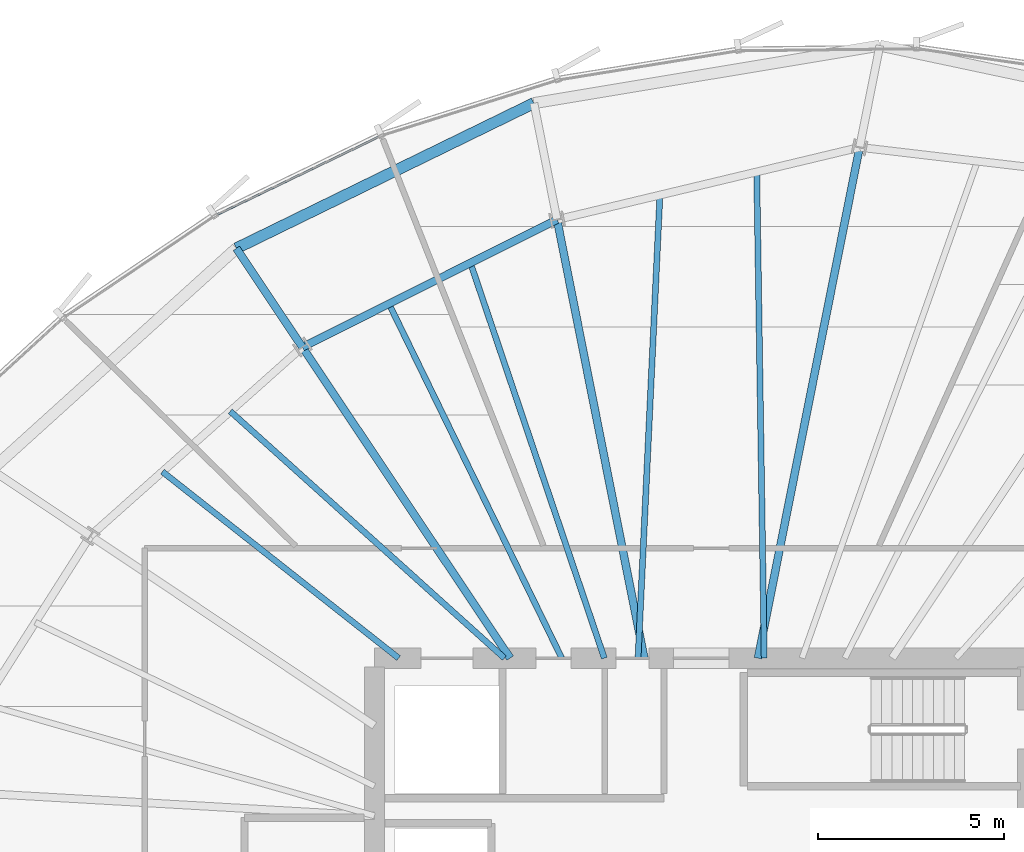
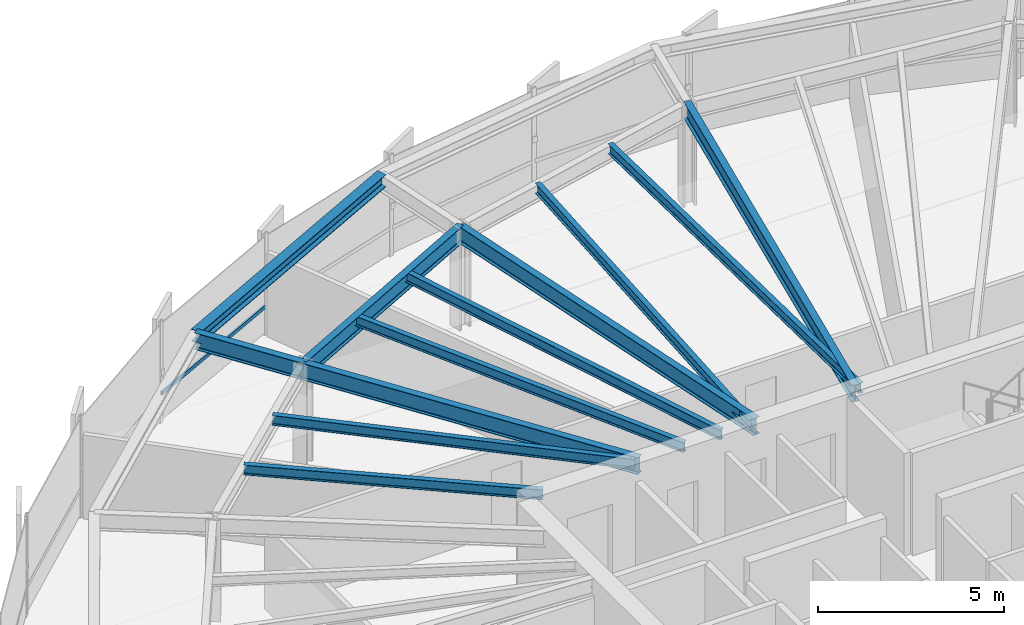
# One storey, part 20 of 35: 12 beams, 1 member, 1 element without a shape of its own.
"""IFC4 building model written with IfcOpenShell, lengths in metres."""

from ifc_helpers import new_model, si_unit, direction, frame, origin, origin_2d, place, context, subcontext, project, spatial, hollow_rectangle, i_section, extrude, source, transform, mapped, material, layer, layer_set, material_profile, profile_set, type_object, element, aggregate, save


model = new_model("IFC4")

# Units and contexts
model_context = context("Model", 3, precision=1e-05, world=origin(), true_north=direction((0.0, 1.0)))
body_context = subcontext(model_context, "Body", "Model", "MODEL_VIEW")
ifc_project = project(units=[si_unit("LENGTHUNIT", "METRE"), si_unit("AREAUNIT", "SQUARE_METRE"), si_unit("VOLUMEUNIT", "CUBIC_METRE"), si_unit("PLANEANGLEUNIT", "RADIAN"), si_unit("MASSUNIT", "GRAM", prefix="KILO"), si_unit("THERMODYNAMICTEMPERATUREUNIT", "KELVIN")], contexts=[model_context])

# Site, building, storey
site_placement = place(None, origin())
site = spatial("IfcSite", under=ifc_project, at=site_placement, CompositionType="ELEMENT")
building_placement = place(site_placement, origin())
building = spatial("IfcBuilding", under=site, at=building_placement, Name="Kethvar Cultural Tower", CompositionType="ELEMENT")
storey_placement = place(building_placement, frame((0.0, 0.0, 121.60009765625)))
storey = spatial("IfcBuildingStorey", under=building, at=storey_placement, Name="L30", CompositionType="ELEMENT", Elevation=121.60009765625)

# Beams
ifc_material_1 = material(Name="Steel S355J2", Category="steel")
ifc_material_profile_1 = material_profile(ifc_material_1, i_section(OverallWidth=0.2099609375, OverallDepth=0.550048828125, WebThickness=0.010986328125, FlangeThickness=0.01708984375, FilletRadius=0.02392578125, at=origin_2d()), Name="Steel S355J2 — IPE550")
ifc_profile_set_1 = profile_set([ifc_material_profile_1], Name="Steel S355J2 — IPE550")
beam_type_1 = type_object("IfcBeamType", Name="BM-IPE550", PredefinedType="BEAM", material=ifc_profile_set_1)
shared_shape_1 = source(origin(), body_context, "Body", "SweptSolid", [
    extrude(i_section(OverallWidth=0.2099609375, OverallDepth=0.550048828125, WebThickness=0.010986328125, FlangeThickness=0.01708984375, FilletRadius=0.02392578125, at=origin_2d()), origin(), (0.0, 0.0, 1.0), 3.2001953125),
])
beam_1_placement = place(storey_placement, frame((36.0576171875, 43.877197265625, 3.072998046875), z_axis=(-0.555544970406, 0.831486491686, 0.0), x_axis=(-0.831486491686, -0.555544970406, 0.0)))
element("IfcBeam", 1, at=beam_1_placement, inside=storey, type_object=beam_type_1, Name="L30 Perimeter Cantilever Beam RC-06", PredefinedType="BEAM", context=body_context, shape_type="MappedRepresentation", body=[
    mapped(shared_shape_1, transform((0.0, 0.0, 0.0), scale=1.0)),
])
shared_shape_2 = source(origin(), body_context, "Body", "SweptSolid", [
    extrude(i_section(OverallWidth=0.2099609375, OverallDepth=0.550048828125, WebThickness=0.010986328125, FlangeThickness=0.01708984375, FilletRadius=0.02392578125, at=origin_2d()), origin(), (0.0, 0.0, 1.0), 14.02880859375),
])
beam_2_placement = place(storey_placement, frame((48.33154296875, 35.5, 3.072998046875), z_axis=(0.195101986683, 0.980782960085, 0.0), x_axis=(-0.980782960085, 0.195101986683, 0.0)))
element("IfcBeam", 2, at=beam_2_placement, inside=storey, type_object=beam_type_1, Name="L30 Primary Radial Beam RB-04", PredefinedType="BEAM", context=body_context, shape_type="MappedRepresentation", body=[
    mapped(shared_shape_2, transform((0.0, 0.0, 0.0), scale=1.0)),
])
shared_shape_3 = source(origin(), body_context, "Body", "SweptSolid", [
    extrude(i_section(OverallWidth=0.2099609375, OverallDepth=0.550048828125, WebThickness=0.010986328125, FlangeThickness=0.01708984375, FilletRadius=0.02392578125, at=origin_2d()), origin(), (0.0, 0.0, 1.0), 12.042724609375),
])
beam_3_placement = place(storey_placement, frame((45.268310546875, 35.5, 3.072998046875), z_axis=(-0.195086784047, 0.980785984142, 0.0), x_axis=(-0.980785984142, -0.195086784047, 0.0)))
element("IfcBeam", 3, at=beam_3_placement, inside=storey, type_object=beam_type_1, Name="L30 Primary Radial Beam RB-05", PredefinedType="BEAM", context=body_context, shape_type="MappedRepresentation", body=[
    mapped(shared_shape_3, transform((0.0, 0.0, 0.0), scale=1.0)),
])
shared_shape_4 = source(origin(), body_context, "Body", "SweptSolid", [
    extrude(i_section(OverallWidth=0.2099609375, OverallDepth=0.550048828125, WebThickness=0.010986328125, FlangeThickness=0.01708984375, FilletRadius=0.02392578125, at=origin_2d()), origin(), (0.0, 0.0, 1.0), 10.0751953125),
])
beam_4_placement = place(storey_placement, frame((41.655029296875, 35.5, 3.072998046875), z_axis=(-0.555566654614, 0.831472003305, 0.0), x_axis=(-0.831472003305, -0.555566654614, 0.0)))
element("IfcBeam", 4, at=beam_4_placement, inside=storey, type_object=beam_type_1, Name="L30 Primary Radial Beam RB-06", PredefinedType="BEAM", context=body_context, shape_type="MappedRepresentation", body=[
    mapped(shared_shape_4, transform((0.0, 0.0, 0.0), scale=1.0)),
])
ifc_material_profile_2 = material_profile(ifc_material_1, i_section(OverallWidth=0.159912109375, OverallDepth=0.330078125, WebThickness=0.007568359375, FlangeThickness=0.011474609375, FilletRadius=0.01806640625, at=origin_2d()), Name="Steel S355J2 — IPE330")
ifc_profile_set_2 = profile_set([ifc_material_profile_2], Name="Steel S355J2 — IPE330")
beam_type_2 = type_object("IfcBeamType", Name="BM-J330", PredefinedType="JOIST", material=ifc_profile_set_2)
shared_shape_5 = source(origin(), body_context, "Body", "SweptSolid", [
    extrude(i_section(OverallWidth=0.159912109375, OverallDepth=0.330078125, WebThickness=0.007568359375, FlangeThickness=0.011474609375, FilletRadius=0.01806640625, at=origin_2d()), origin(), (0.0, 0.0, 1.0), 13.098388671875),
])
beam_5_placement = place(storey_placement, frame((48.5, 35.5, 3.182861328125), z_axis=(-0.015451599057, 0.999880616917, 0.0), x_axis=(-0.999880616917, -0.015451599057, 0.0)))
element("IfcBeam", 5, at=beam_5_placement, inside=storey, type_object=beam_type_2, Name="L30 Composite Floor Joist J-04A", PredefinedType="JOIST", context=body_context, shape_type="MappedRepresentation", body=[
    mapped(shared_shape_5, transform((0.0, 0.0, 0.0), scale=1.0)),
])
shared_shape_6 = source(origin(), body_context, "Body", "SweptSolid", [
    extrude(i_section(OverallWidth=0.159912109375, OverallDepth=0.330078125, WebThickness=0.007568359375, FlangeThickness=0.011474609375, FilletRadius=0.01806640625, at=origin_2d()), origin(), (0.0, 0.0, 1.0), 12.487548828125),
])
beam_6_placement = place(storey_placement, frame((45.10009765625, 35.5, 3.182861328125), z_axis=(0.047214958818, 0.998884751943, 0.0), x_axis=(-0.998884751943, 0.047214958818, 0.0)))
element("IfcBeam", 6, at=beam_6_placement, inside=storey, type_object=beam_type_2, Name="L30 Composite Floor Joist J-04B", PredefinedType="JOIST", context=body_context, shape_type="MappedRepresentation", body=[
    mapped(shared_shape_6, transform((0.0, 0.0, 0.0), scale=1.0)),
])
shared_shape_7 = source(origin(), body_context, "Body", "SweptSolid", [
    extrude(i_section(OverallWidth=0.2099609375, OverallDepth=0.550048828125, WebThickness=0.010986328125, FlangeThickness=0.01708984375, FilletRadius=0.02392578125, at=origin_2d()), origin(), (0.0, 0.0, 1.0), 7.672607421875),
])
beam_7_placement = place(storey_placement, frame((42.9189453125, 47.311279296875, 3.072998046875), z_axis=(-0.894248932057, -0.447569935892, 0.0), x_axis=(0.447569935892, -0.894248932057, 0.0)))
element("IfcBeam", 7, at=beam_7_placement, inside=storey, type_object=beam_type_1, Name="L30 Column Ring Tie Beam CR-05", PredefinedType="BEAM", context=body_context, shape_type="MappedRepresentation", body=[
    mapped(shared_shape_7, transform((0.0, 0.0, 0.0), scale=1.0)),
])
shared_shape_8 = source(origin(), body_context, "Body", "SweptSolid", [
    extrude(i_section(OverallWidth=0.159912109375, OverallDepth=0.330078125, WebThickness=0.007568359375, FlangeThickness=0.011474609375, FilletRadius=0.01806640625, at=origin_2d()), origin(), (0.0, 0.0, 1.0), 11.23779296875),
])
beam_8_placement = place(storey_placement, frame((44.191650390625, 35.5, 3.182861328125), z_axis=(-0.32083186626, 0.94713616423, 0.0), x_axis=(-0.94713616423, -0.32083186626, 0.0)))
element("IfcBeam", 8, at=beam_8_placement, inside=storey, type_object=beam_type_2, Name="L30 Composite Floor Joist J-05A", PredefinedType="JOIST", context=body_context, shape_type="MappedRepresentation", body=[
    mapped(shared_shape_8, transform((0.0, 0.0, 0.0), scale=1.0)),
])
shared_shape_9 = source(origin(), body_context, "Body", "SweptSolid", [
    extrude(i_section(OverallWidth=0.159912109375, OverallDepth=0.330078125, WebThickness=0.007568359375, FlangeThickness=0.011474609375, FilletRadius=0.01806640625, at=origin_2d()), origin(), (0.0, 0.0, 1.0), 10.619384765625),
])
beam_9_placement = place(storey_placement, frame((43.044921875, 35.5, 3.182861328125), z_axis=(-0.438308125028, 0.898824781331, 0.0), x_axis=(-0.898824781331, -0.438308125028, 0.0)))
element("IfcBeam", 9, at=beam_9_placement, inside=storey, type_object=beam_type_2, Name="L30 Composite Floor Joist J-05B", PredefinedType="JOIST", context=body_context, shape_type="MappedRepresentation", body=[
    mapped(shared_shape_9, transform((0.0, 0.0, 0.0), scale=1.0)),
])
shared_shape_10 = source(origin(), body_context, "Body", "SweptSolid", [
    extrude(i_section(OverallWidth=0.159912109375, OverallDepth=0.330078125, WebThickness=0.007568359375, FlangeThickness=0.011474609375, FilletRadius=0.01806640625, at=origin_2d()), origin(), (0.0, 0.0, 1.0), 9.93701171875),
])
beam_10_placement = place(storey_placement, frame((41.5, 35.5, 3.182861328125), z_axis=(-0.743138974967, 0.669137103952, 0.0), x_axis=(-0.669137103952, -0.743138974967, 0.0)))
element("IfcBeam", 10, at=beam_10_placement, inside=storey, type_object=beam_type_2, Name="L30 Composite Floor Joist J-06A", PredefinedType="JOIST", context=body_context, shape_type="MappedRepresentation", body=[
    mapped(shared_shape_10, transform((0.0, 0.0, 0.0), scale=1.0)),
])
shared_shape_11 = source(origin(), body_context, "Body", "SweptSolid", [
    extrude(i_section(OverallWidth=0.159912109375, OverallDepth=0.330078125, WebThickness=0.007568359375, FlangeThickness=0.011474609375, FilletRadius=0.01806640625, at=origin_2d()), origin(), (0.0, 0.0, 1.0), 8.105712890625),
])
beam_11_placement = place(storey_placement, frame((38.64990234375, 35.5, 3.182861328125), z_axis=(-0.784895872164, 0.619627686486, 0.0), x_axis=(-0.619627686486, -0.784895872164, 0.0)))
element("IfcBeam", 11, at=beam_11_placement, inside=storey, type_object=beam_type_2, Name="L30 Composite Floor Joist J-06B", PredefinedType="JOIST", context=body_context, shape_type="MappedRepresentation", body=[
    mapped(shared_shape_11, transform((0.0, 0.0, 0.0), scale=1.0)),
])
ifc_material_profile_3 = material_profile(ifc_material_1, i_section(OverallWidth=0.300048828125, OverallDepth=0.39990234375, WebThickness=0.013427734375, FlangeThickness=0.02392578125, FilletRadius=0.027099609375, at=origin_2d()), Name="Steel S355J2 — HEB400")
ifc_profile_set_3 = profile_set([ifc_material_profile_3], Name="Steel S355J2 — HEB400")
beam_type_3 = type_object("IfcBeamType", Name="BM-SP400", PredefinedType="SPANDREL", material=ifc_profile_set_3)
shared_shape_12 = source(origin(), body_context, "Body", "SweptSolid", [
    extrude(i_section(OverallWidth=0.300048828125, OverallDepth=0.39990234375, WebThickness=0.013427734375, FlangeThickness=0.02392578125, FilletRadius=0.027099609375, at=origin_2d()), origin(), (0.0, 0.0, 1.0), 8.91845703125),
])
beam_12_placement = place(storey_placement, frame((42.294677734375, 50.44970703125, 3.14794921875), z_axis=(-0.898683713341, -0.438597290662, 0.0), x_axis=(0.438597290662, -0.898683713341, 0.0)))
element("IfcBeam", 12, at=beam_12_placement, inside=storey, type_object=beam_type_3, Name="L30 Perimeter Spandrel Beam SP-05", PredefinedType="SPANDREL", context=body_context, shape_type="MappedRepresentation", body=[
    mapped(shared_shape_12, transform((0.0, 0.0, 0.0), scale=1.0)),
])

# Curtain wall, member
ifc_material_2 = material(Name="Aluminium 6063-T6", Category="aluminium")
ifc_layer = layer(ifc_material_2, 0.179931640625, Name="Aluminium 6063-T6", Category="aluminium")
ifc_layer_set = layer_set([ifc_layer], Name="Aluminium 6063-T6 (180 mm)")
curtain_wall_type = type_object("IfcCurtainWallType", Name="CW-SYS-03-Z2", PredefinedType="NOTDEFINED", material=ifc_layer_set)
curtain_wall_placement = place(storey_placement, origin())
curtain_wall = element("IfcCurtainWall", 13, at=curtain_wall_placement, inside=storey, type_object=curtain_wall_type, Name="L30 Curtain Wall Run 02", PredefinedType="NOTDEFINED")
ifc_material_profile_4 = material_profile(ifc_material_2, hollow_rectangle(XDim=0.054931640625, YDim=0.1201171875, WallThickness=0.00390625, at=origin_2d()), Name="Aluminium 6063-T6 — RHS120x55x4")
ifc_profile_set_4 = profile_set([ifc_material_profile_4], Name="Aluminium 6063-T6 — RHS120x55x4")
member_type = type_object("IfcMemberType", Name="CW-SYS-03-Z2-TRN", PredefinedType="USERDEFINED", material=ifc_profile_set_4)
shared_shape_13 = source(origin(), body_context, "Body", "SweptSolid", [
    extrude(hollow_rectangle(XDim=0.054931640625, YDim=0.1201171875, WallThickness=0.00390625, at=origin_2d()), origin(), (0.0, 0.0, 1.0), 4.910888671875),
])
member_placement = place(storey_placement, frame((38.148193359375, 49.556884765625, 0.949951171875), z_axis=(-0.901057078007, -0.433700521298, 0.0), x_axis=(0.433700521298, -0.901057078007, 0.0)))
member = element("IfcMember", 14, at=member_placement, type_object=member_type, Name="CW-L30-R02 Transom 4", ObjectType="TRANSOM", PredefinedType="USERDEFINED", context=body_context, shape_type="MappedRepresentation", body=[
    mapped(shared_shape_13, transform((0.0, 0.0, 0.0), scale=1.0)),
])
aggregate(curtain_wall, [member])

save(model, "model.ifc")
